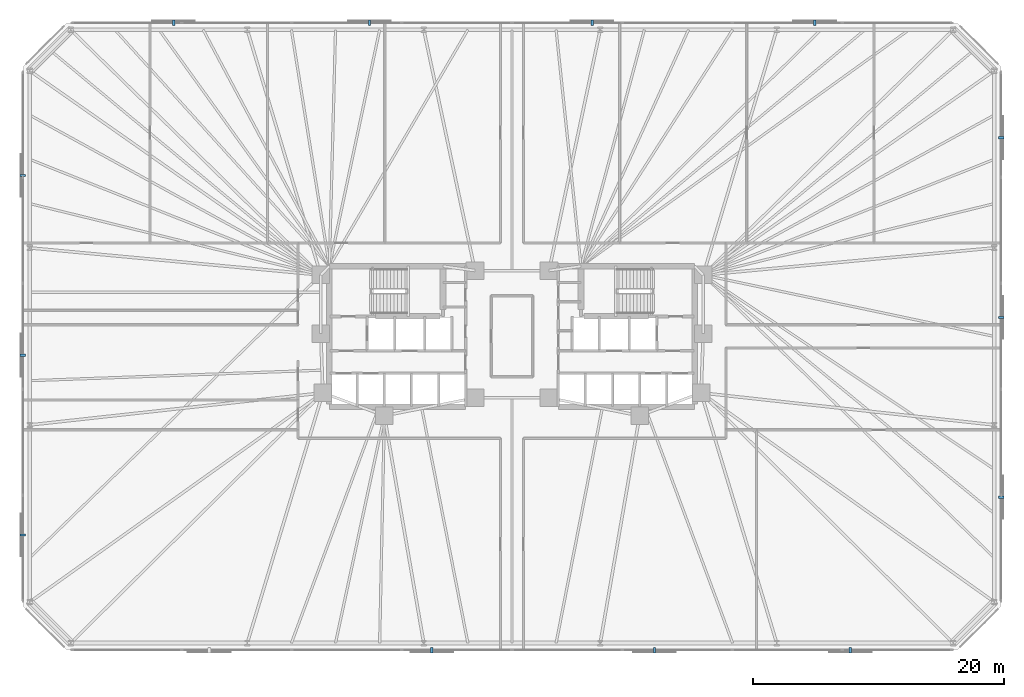
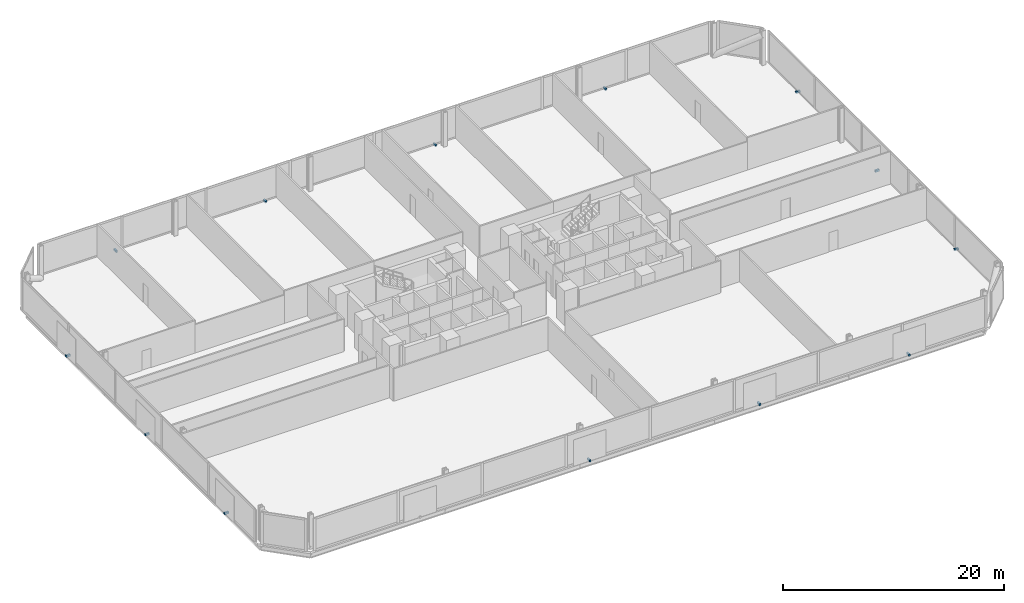
# One storey, part 15 of 16: 13 discrete accessories.
"""IFC4 building model written with IfcOpenShell, lengths in metres."""

from ifc_helpers import new_model, si_unit, direction, frame, origin, origin_2d, place, context, subcontext, project, spatial, rectangle, extrude, material, type_object, element, save


model = new_model("IFC4")

# Units and contexts
model_context = context("Model", 3, precision=1e-05, world=origin(), true_north=direction((0.0, 1.0)))
body_context = subcontext(model_context, "Body", "Model", "MODEL_VIEW")
ifc_project = project(units=[si_unit("LENGTHUNIT", "METRE"), si_unit("AREAUNIT", "SQUARE_METRE"), si_unit("VOLUMEUNIT", "CUBIC_METRE"), si_unit("PLANEANGLEUNIT", "RADIAN"), si_unit("MASSUNIT", "GRAM", prefix="KILO")], contexts=[model_context])

# Site, building, storey
site_placement = place(None, origin())
site = spatial("IfcSite", under=ifc_project, at=site_placement, CompositionType="ELEMENT")
building_placement = place(site_placement, origin())
building = spatial("IfcBuilding", under=site, at=building_placement, Name="Menara Jurai Vektor", CompositionType="ELEMENT")
storey_placement = place(building_placement, frame((0.0, 0.0, 33.199951171875)))
storey = spatial("IfcBuildingStorey", under=building, at=storey_placement, Name="L07", CompositionType="ELEMENT", Elevation=33.199951171875)

# Discrete accessories
ifc_material = material(Name="Steel S355", Category="steel")
discrete_accessory_type = type_object("IfcDiscreteAccessoryType", Name="ENV-ACC-BRACKET", PredefinedType="BRACKET", material=ifc_material)
for number, where, z_axis, x_axis, name in (
    (1, (-6.389892578125, -25.010009765625, -0.1298828125), (0.0, 0.0, 1.0), (1.0, 0.0, 0.0), "Solar Screen Stand-Off Bracket L07-S02"),
    (2, (11.360107421875, -25.010009765625, -0.1298828125), (0.0, 0.0, 1.0), (1.0, 0.0, 0.0), "Solar Screen Stand-Off Bracket L07-S03"),
    (3, (26.97998046875, -25.010009765625, -0.1298828125), (0.0, 0.0, 1.0), (1.0, 0.0, 0.0), "Solar Screen Stand-Off Bracket L07-S04"),
    (4, (39.010009765625, -12.828369140625, -0.1298828125), (0.0, 0.0, 1.0), (0.0, 1.0, 0.0), "Solar Screen Stand-Off Bracket L07-S05"),
    (5, (39.010009765625, 1.5048828125, -0.1298828125), (0.0, 0.0, 1.0), (0.0, 1.0, 0.0), "Solar Screen Stand-Off Bracket L07-S06"),
    (6, (39.010009765625, 15.83837890625, -0.1298828125), (0.0, 0.0, 1.0), (0.0, 1.0, 0.0), "Solar Screen Stand-Off Bracket L07-S07"),
    (7, (24.139892578125, 25.010009765625, -0.1298828125), (0.0, 0.0, 1.0), (-1.0, 0.0, 0.0), "Solar Screen Stand-Off Bracket L07-S08"),
    (8, (6.389892578125, 25.010009765625, -0.1298828125), (0.0, 0.0, 1.0), (-1.0, 0.0, 0.0), "Solar Screen Stand-Off Bracket L07-S09"),
    (9, (-11.360107421875, 25.010009765625, -0.1298828125), (0.0, 0.0, 1.0), (-1.0, 0.0, 0.0), "Solar Screen Stand-Off Bracket L07-S10"),
    (10, (-26.97998046875, 25.010009765625, -0.1298828125), (0.0, 0.0, 1.0), (-1.0, 0.0, 0.0), "Solar Screen Stand-Off Bracket L07-S11"),
    (11, (-39.010009765625, 12.828369140625, -0.1298828125), (0.0, 0.0, 1.0), (0.0, -1.0, 0.0), "Solar Screen Stand-Off Bracket L07-S12"),
    (12, (-39.010009765625, -1.5048828125, -0.1298828125), (0.0, 0.0, 1.0), (0.0, -1.0, 0.0), "Solar Screen Stand-Off Bracket L07-S13"),
    (13, (-39.010009765625, -15.83837890625, -0.1298828125), (0.0, 0.0, 1.0), (0.0, -1.0, 0.0), "Solar Screen Stand-Off Bracket L07-S14"),
):
    element("IfcDiscreteAccessory", number, at=place(storey_placement, frame(where, z_axis=z_axis, x_axis=x_axis)), inside=storey, type_object=discrete_accessory_type, Name=name, PredefinedType="BRACKET", context=body_context, shape_type="SweptSolid", body=[
        extrude(rectangle(XDim=0.179931640625, YDim=0.43994140625, at=origin_2d()), origin(), (0.0, 0.0, 1.0), 0.219970703125),
    ])

save(model, "model.ifc")
